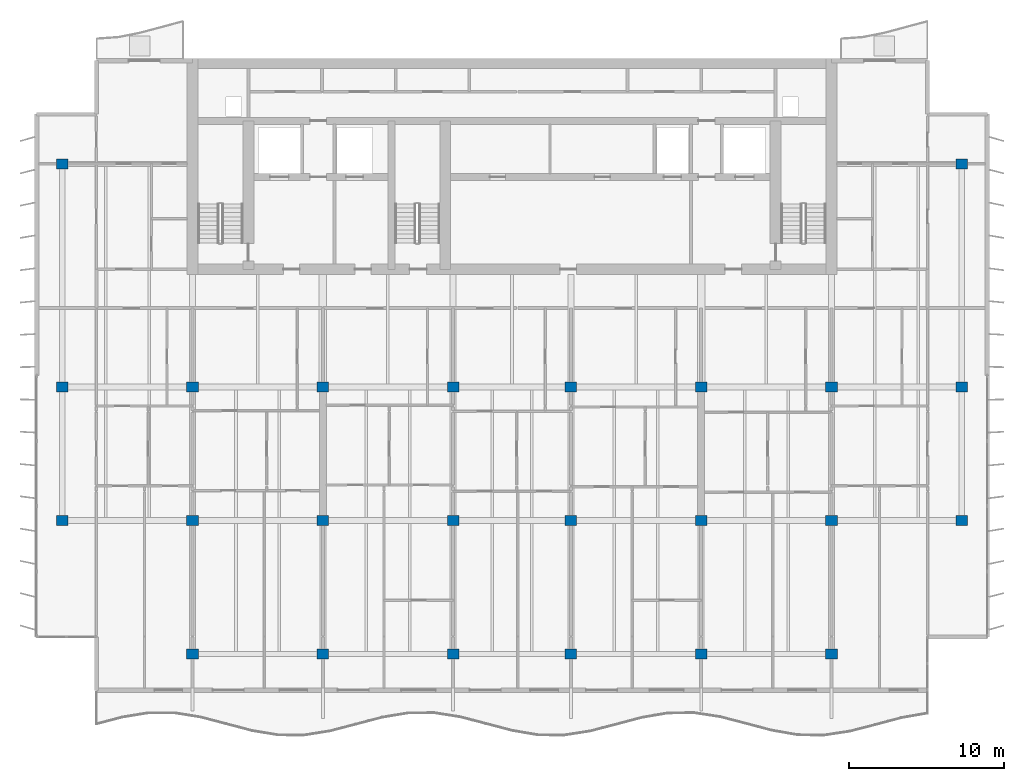
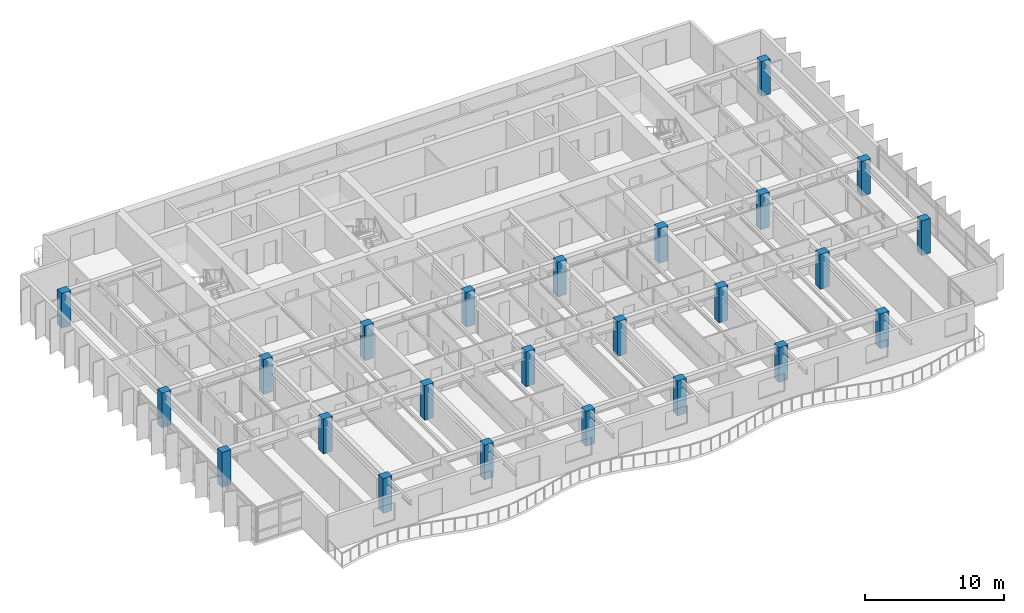
# One storey, part 1 of 17: 24 columns.
"""IFC4 building model written with IfcOpenShell, lengths in metres."""

from ifc_helpers import new_model, si_unit, direction, frame, origin, origin_2d, place, context, subcontext, project, spatial, rectangle, extrude, material, material_profile, profile_set, type_object, element, save


model = new_model("IFC4")

# Units and contexts
model_context = context("Model", 3, precision=1e-05, world=origin(), true_north=direction((0.0, 1.0)))
body_context = subcontext(model_context, "Body", "Model", "MODEL_VIEW")
ifc_project = project(units=[si_unit("LENGTHUNIT", "METRE"), si_unit("AREAUNIT", "SQUARE_METRE"), si_unit("VOLUMEUNIT", "CUBIC_METRE"), si_unit("PLANEANGLEUNIT", "RADIAN"), si_unit("MASSUNIT", "GRAM", prefix="KILO")], contexts=[model_context])

# Site, building, storey
site_placement = place(None, origin())
site = spatial("IfcSite", under=ifc_project, at=site_placement, CompositionType="ELEMENT")
building_placement = place(site_placement, origin())
building = spatial("IfcBuilding", under=site, at=building_placement, Name="Caelmar Bay Residences", CompositionType="ELEMENT")
storey_placement = place(building_placement, frame((0.0, 0.0, 229.800048828125)))
storey = spatial("IfcBuildingStorey", under=building, at=storey_placement, Name="L64", CompositionType="ELEMENT", Elevation=229.800048828125)

# Columns
ifc_material = material(Name="Concrete f'c 55 MPa (8,000 psi)", Category="concrete")
ifc_material_profile = material_profile(ifc_material, rectangle(XDim=0.75, YDim=0.64990234375, at=origin_2d()), Name="RC-COL-750X650")
ifc_profile_set = profile_set([ifc_material_profile], Name="Concrete f'c 55 MPa (8,000 psi)")
column_type = type_object("IfcColumnType", Name="COL-RC-750X650", PredefinedType="COLUMN", material=ifc_profile_set)
for number, where, z_axis, x_axis, name in (
    (1, (18.300048828125, 12.199951171875, 0.0), (0.0, 0.0, 1.0), (1.0, 0.0, 0.0), "L64 Column (18.30,12.20)"),
    (2, (26.699951171875, 12.199951171875, 0.0), (0.0, 0.0, 1.0), (1.0, 0.0, 0.0), "L64 Column (26.70,12.20)"),
    (3, (35.10009765625, 12.199951171875, 0.0), (0.0, 0.0, 1.0), (1.0, 0.0, 0.0), "L64 Column (35.10,12.20)"),
    (4, (42.699951171875, 12.199951171875, 0.0), (0.0, 0.0, 1.0), (1.0, 0.0, 0.0), "L64 Column (42.70,12.20)"),
    (5, (51.10009765625, 12.199951171875, 0.0), (0.0, 0.0, 1.0), (1.0, 0.0, 0.0), "L64 Column (51.10,12.20)"),
    (6, (59.5, 12.199951171875, 0.0), (0.0, 0.0, 1.0), (1.0, 0.0, 0.0), "L64 Column (59.50,12.20)"),
    (7, (9.89990234375, 20.800048828125, 0.0), (0.0, 0.0, 1.0), (1.0, 0.0, 0.0), "L64 Column (9.90,20.80)"),
    (8, (18.300048828125, 20.800048828125, 0.0), (0.0, 0.0, 1.0), (1.0, 0.0, 0.0), "L64 Column (18.30,20.80)"),
    (9, (26.699951171875, 20.800048828125, 0.0), (0.0, 0.0, 1.0), (1.0, 0.0, 0.0), "L64 Column (26.70,20.80)"),
    (10, (35.10009765625, 20.800048828125, 0.0), (0.0, 0.0, 1.0), (1.0, 0.0, 0.0), "L64 Column (35.10,20.80)"),
    (11, (42.699951171875, 20.800048828125, 0.0), (0.0, 0.0, 1.0), (1.0, 0.0, 0.0), "L64 Column (42.70,20.80)"),
    (12, (51.10009765625, 20.800048828125, 0.0), (0.0, 0.0, 1.0), (1.0, 0.0, 0.0), "L64 Column (51.10,20.80)"),
    (13, (59.5, 20.800048828125, 0.0), (0.0, 0.0, 1.0), (1.0, 0.0, 0.0), "L64 Column (59.50,20.80)"),
    (14, (67.89990234375, 20.800048828125, 0.0), (0.0, 0.0, 1.0), (1.0, 0.0, 0.0), "L64 Column (67.90,20.80)"),
    (15, (9.89990234375, 29.39990234375, 0.0), (0.0, 0.0, 1.0), (1.0, 0.0, 0.0), "L64 Column (9.90,29.40)"),
    (16, (18.300048828125, 29.39990234375, 0.0), (0.0, 0.0, 1.0), (1.0, 0.0, 0.0), "L64 Column (18.30,29.40)"),
    (17, (26.699951171875, 29.39990234375, 0.0), (0.0, 0.0, 1.0), (1.0, 0.0, 0.0), "L64 Column (26.70,29.40)"),
    (18, (35.10009765625, 29.39990234375, 0.0), (0.0, 0.0, 1.0), (1.0, 0.0, 0.0), "L64 Column (35.10,29.40)"),
    (19, (42.699951171875, 29.39990234375, 0.0), (0.0, 0.0, 1.0), (1.0, 0.0, 0.0), "L64 Column (42.70,29.40)"),
    (20, (51.10009765625, 29.39990234375, 0.0), (0.0, 0.0, 1.0), (1.0, 0.0, 0.0), "L64 Column (51.10,29.40)"),
    (21, (59.5, 29.39990234375, 0.0), (0.0, 0.0, 1.0), (1.0, 0.0, 0.0), "L64 Column (59.50,29.40)"),
    (22, (67.89990234375, 29.39990234375, 0.0), (0.0, 0.0, 1.0), (1.0, 0.0, 0.0), "L64 Column (67.90,29.40)"),
    (23, (9.89990234375, 43.800048828125, 0.0), (0.0, 0.0, 1.0), (1.0, 0.0, 0.0), "L64 Column (9.90,43.80)"),
    (24, (67.89990234375, 43.800048828125, 0.0), (0.0, 0.0, 1.0), (1.0, 0.0, 0.0), "L64 Column (67.90,43.80)"),
):
    element("IfcColumn", number, at=place(storey_placement, frame(where, z_axis=z_axis, x_axis=x_axis)), inside=storey, type_object=column_type, Name=name, PredefinedType="COLUMN", context=body_context, shape_type="SweptSolid", body=[
        extrude(rectangle(XDim=0.75, YDim=0.64990234375, at=origin_2d()), origin(), (0.0, 0.0, 1.0), 3.050048828125),
    ])

save(model, "model.ifc")
